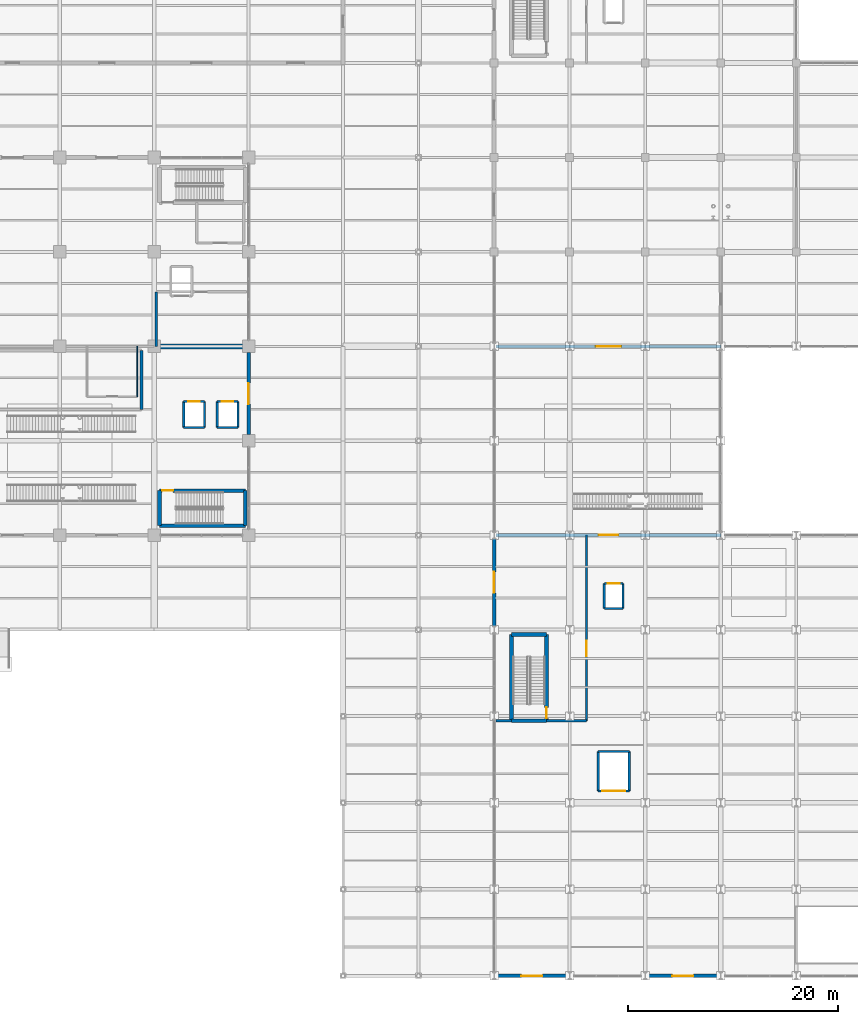
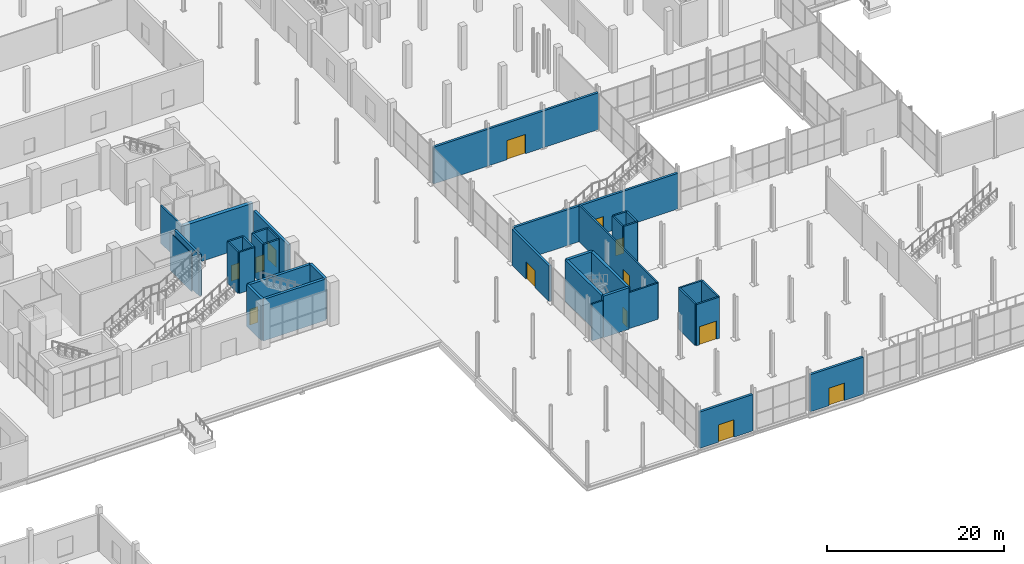
# One storey, part 125 of 144: 37 walls, 13 doors, 13 openings.
"""IFC4 building model written with IfcOpenShell, lengths in metres."""

from ifc_helpers import new_model, si_unit, direction, frame, frame_2d, origin, place, context, subcontext, project, spatial, rectangle, extrude, material, layer, layer_set, type_object, element, fill, save


model = new_model("IFC4")

# Units and contexts
model_context = context("Model", 3, precision=1e-05, world=origin(), true_north=direction((0.0, 1.0)))
body_context = subcontext(model_context, "Body", "Model", "MODEL_VIEW")
ifc_project = project(units=[si_unit("LENGTHUNIT", "METRE"), si_unit("AREAUNIT", "SQUARE_METRE"), si_unit("VOLUMEUNIT", "CUBIC_METRE"), si_unit("PLANEANGLEUNIT", "RADIAN"), si_unit("MASSUNIT", "GRAM", prefix="KILO")], contexts=[model_context])

# Site, building, storey
site_placement = place(None, origin())
site = spatial("IfcSite", under=ifc_project, at=site_placement, CompositionType="ELEMENT")
building_placement = place(site_placement, origin())
building = spatial("IfcBuilding", under=site, at=building_placement, Name="Sundgate Opera House", CompositionType="ELEMENT")
storey_placement = place(building_placement, origin())
storey = spatial("IfcBuildingStorey", under=building, at=storey_placement, Name="L00", CompositionType="ELEMENT", Elevation=0.0)

# Wall
ifc_material_1 = material(Name="Concrete C40/50", Category="concrete")
ifc_layer_1 = layer(ifc_material_1, 0.35009765625)
ifc_layer_set_1 = layer_set([ifc_layer_1], Name="Concrete C40/50")
wall_type_1 = type_object("IfcWallType", Name="WL-CORE-350", PredefinedType="SHEAR", material=ifc_layer_set_1)
wall_1_placement = place(storey_placement, frame((63.510009765625, 42.909912109375, 0.0), z_axis=(0.0, 0.0, 1.0), x_axis=(1.0, 0.0, 0.0)))
element("IfcWall", 1, at=wall_1_placement, inside=storey, type_object=wall_type_1, Name="L00 C3 South Shaft Wall", PredefinedType="SHEAR", context=body_context, shape_type="SweptSolid", body=[
    extrude(rectangle(XDim=8.179931640625, YDim=0.35009765625, at=frame_2d((4.08984375, 0.0))), origin(), (0.0, 0.0, 1.0), 5.699951171875),
])

# Wall, opening, door
wall_2_placement = place(storey_placement, frame((63.510009765625, 46.239990234375, 0.0), z_axis=(0.0, 0.0, 1.0), x_axis=(1.0, 0.0, 0.0)))
wall_2 = element("IfcWall", 2, at=wall_2_placement, inside=storey, type_object=wall_type_1, Name="L00 C3 North Shaft Wall", PredefinedType="SHEAR", context=body_context, shape_type="SweptSolid", body=[
    extrude(rectangle(XDim=8.179931640625, YDim=0.35009765625, at=frame_2d((4.08984375, 0.0))), origin(), (0.0, 0.0, 1.0), 5.699951171875),
])
opening_1_placement = place(wall_2_placement, frame((0.239990234375, 0.0, 0.0)))
opening_1 = element("IfcOpeningElement", 3, at=opening_1_placement, cuts=wall_2, Name="Opening DI01", PredefinedType="OPENING", context=body_context, shape_type="SweptSolid", body=[
    extrude(rectangle(XDim=1.050048828125, YDim=2.179931640625, at=frame_2d((0.52490234375, 1.08984375))), frame((0.0, 0.18505859375, 0.0), z_axis=(0.0, -1.0, 0.0), x_axis=(1.0, 0.0, 0.0)), (0.0, 0.0, 1.0), 0.3701171875),
])
ifc_material_2 = material(Name="Acoustic hardwood timber and steel core", Category="steel")
door_type_1 = type_object("IfcDoorType", Name="DR-STAIR-1050x2180", OperationType="NOTDEFINED", PredefinedType="DOOR", material=ifc_material_2)
door_1_placement = place(opening_1_placement, origin())
door_1 = element("IfcDoor", 4, at=door_1_placement, inside=storey, type_object=door_type_1, Name="L00 C3 Stair Door D0049", OperationType="SINGLE_SWING_LEFT", OverallHeight=2.179931640625, OverallWidth=1.050048828125, PredefinedType="DOOR", context=body_context, shape_type="SweptSolid", body=[
    extrude(rectangle(XDim=1.050048828125, YDim=2.179931640625, at=frame_2d((0.52490234375, 1.08984375))), frame((0.0, 0.02490234375, 0.0), z_axis=(0.0, -1.0, 0.0), x_axis=(1.0, 0.0, 0.0)), (0.0, 0.0, 1.0), 0.050048828125),
])
fill(opening_1, door_1)

# Walls
for number, where, z_axis, x_axis, name in (
    (5, (63.510009765625, 42.909912109375, 0.0), (0.0, 0.0, 1.0), (0.0, 1.0, 0.0), "L00 C3 West Shaft Wall"),
    (6, (71.68994140625, 42.909912109375, 0.0), (0.0, 0.0, 1.0), (0.0, 1.0, 0.0), "L00 C3 East Shaft Wall"),
):
    element("IfcWall", number, at=place(storey_placement, frame(where, z_axis=z_axis, x_axis=x_axis)), inside=storey, type_object=wall_type_1, Name=name, PredefinedType="SHEAR", context=body_context, shape_type="SweptSolid", body=[
        extrude(rectangle(XDim=3.330078125, YDim=0.35009765625, at=frame_2d((1.6650390625, 0.0))), origin(), (0.0, 0.0, 1.0), 5.699951171875),
    ])
for number, where, z_axis, x_axis, name in (
    (7, (97.06005859375, 24.31005859375, 0.0), (0.0, 0.0, 1.0), (1.0, 0.0, 0.0), "L00 C7 South Shaft Wall"),
    (8, (97.06005859375, 32.5400390625, 0.0), (0.0, 0.0, 1.0), (1.0, 0.0, 0.0), "L00 C7 North Shaft Wall"),
):
    element("IfcWall", number, at=place(storey_placement, frame(where, z_axis=z_axis, x_axis=x_axis)), inside=storey, type_object=wall_type_1, Name=name, PredefinedType="SHEAR", context=body_context, shape_type="SweptSolid", body=[
        extrude(rectangle(XDim=3.329833984375, YDim=0.35009765625, at=frame_2d((1.6650390625, 0.0))), origin(), (0.0, 0.0, 1.0), 5.699951171875),
    ])
wall_3_placement = place(storey_placement, frame((97.06005859375, 24.31005859375, 0.0), z_axis=(0.0, 0.0, 1.0), x_axis=(0.0, 1.0, 0.0)))
element("IfcWall", 9, at=wall_3_placement, inside=storey, type_object=wall_type_1, Name="L00 C7 West Shaft Wall", PredefinedType="SHEAR", context=body_context, shape_type="SweptSolid", body=[
    extrude(rectangle(XDim=8.22998046875, YDim=0.35009765625, at=frame_2d((4.114990234375, 0.0))), origin(), (0.0, 0.0, 1.0), 5.699951171875),
])

# Wall, opening, door
wall_4_placement = place(storey_placement, frame((100.389892578125, 24.31005859375, 0.0), z_axis=(0.0, 0.0, 1.0), x_axis=(0.0, 1.0, 0.0)))
wall_4 = element("IfcWall", 10, at=wall_4_placement, inside=storey, type_object=wall_type_1, Name="L00 C7 East Shaft Wall", PredefinedType="SHEAR", context=body_context, shape_type="SweptSolid", body=[
    extrude(rectangle(XDim=8.22998046875, YDim=0.35009765625, at=frame_2d((4.114990234375, 0.0))), origin(), (0.0, 0.0, 1.0), 5.699951171875),
])
opening_2_placement = place(wall_4_placement, frame((0.239990234375, 0.0, 0.0)))
opening_2 = element("IfcOpeningElement", 11, at=opening_2_placement, cuts=wall_4, Name="Opening DI01", PredefinedType="OPENING", context=body_context, shape_type="SweptSolid", body=[
    extrude(rectangle(XDim=1.050048828125, YDim=2.179931640625, at=frame_2d((0.52490234375, 1.08984375))), frame((0.0, 0.18505859375, 0.0), z_axis=(0.0, -1.0, 0.0), x_axis=(1.0, 0.0, 0.0)), (0.0, 0.0, 1.0), 0.3701171875),
])
door_2_placement = place(opening_2_placement, origin())
door_2 = element("IfcDoor", 12, at=door_2_placement, inside=storey, type_object=door_type_1, Name="L00 C7 Stair Door D0084", OperationType="SINGLE_SWING_RIGHT", OverallHeight=2.179931640625, OverallWidth=1.050048828125, PredefinedType="DOOR", context=body_context, shape_type="SweptSolid", body=[
    extrude(rectangle(XDim=1.050048828125, YDim=2.179931640625, at=frame_2d((0.52490234375, 1.08984375))), frame((0.0, 0.02490234375, 0.0), z_axis=(0.0, -1.0, 0.0), x_axis=(1.0, 0.0, 0.0)), (0.0, 0.0, 1.0), 0.050048828125),
])
fill(opening_2, door_2)

ifc_material_3 = material(Name="Komstad limestone ashlar masonry", Category="masonry")
ifc_layer_2 = layer(ifc_material_3, 0.340087890625)
ifc_layer_set_2 = layer_set([ifc_layer_2], Name="Komstad limestone ashlar masonry")
wall_type_2 = type_object("IfcWallType", Name="WL-EXT-COLON-340", PredefinedType="SOLIDWALL", material=ifc_layer_set_2)
wall_5_placement = place(storey_placement, frame((72.0, 51.594970703125, 0.0), z_axis=(0.0, 0.0, 1.0), x_axis=(0.0, 1.0, 0.0)))
wall_5 = element("IfcWall", 13, at=wall_5_placement, inside=storey, type_object=wall_type_2, Name="L00 Foyer East Portal W0041", PredefinedType="SOLIDWALL", context=body_context, shape_type="SweptSolid", body=[
    extrude(rectangle(XDim=7.81005859375, YDim=0.340087890625, at=frame_2d((3.905029296875, 0.0))), origin(), (0.0, 0.0, 1.0), 4.9150390625),
])
opening_3_placement = place(wall_5_placement, frame((2.905029296875, 0.0, 0.0)))
opening_3 = element("IfcOpeningElement", 14, at=opening_3_placement, cuts=wall_5, Name="Opening DE1", PredefinedType="OPENING", context=body_context, shape_type="SweptSolid", body=[
    extrude(rectangle(XDim=2.0, YDim=2.39990234375, at=frame_2d((1.0, 1.199951171875))), frame((0.0, 0.179931640625, 0.0), z_axis=(0.0, -1.0, 0.0), x_axis=(1.0, 0.0, 0.0)), (0.0, 0.0, 1.0), 0.360107421875),
])
ifc_material_4 = material(Name="Patinated bronze and laminated safety glass", Category="glass")
door_type_2 = type_object("IfcDoorType", Name="DR-EXIT-2000x2400", OperationType="NOTDEFINED", PredefinedType="DOOR", material=ifc_material_4)
door_3_placement = place(opening_3_placement, origin())
door_3 = element("IfcDoor", 15, at=door_3_placement, inside=storey, type_object=door_type_2, Name="L00 Final Exit Door E6", OperationType="DOUBLE_DOOR_SINGLE_SWING", OverallHeight=2.39990234375, OverallWidth=2.0, PredefinedType="DOOR", context=body_context, shape_type="SweptSolid", body=[
    extrude(rectangle(XDim=2.0, YDim=2.39990234375, at=frame_2d((1.0, 1.199951171875))), frame((0.0, 0.02490234375, 0.0), z_axis=(0.0, -1.0, 0.0), x_axis=(1.0, 0.0, 0.0)), (0.0, 0.0, 1.0), 0.050048828125),
])
fill(opening_3, door_3)

ifc_material_5 = material(Name="Precast concrete C40/50", Category="concrete")
ifc_layer_3 = layer(ifc_material_5, 0.31005859375)
ifc_layer_set_3 = layer_set([ifc_layer_3], Name="Precast concrete C40/50")
wall_type_3 = type_object("IfcWallType", Name="WL-EXT-DOCK-310", PredefinedType="SOLIDWALL", material=ifc_layer_set_3)
wall_6_placement = place(storey_placement, frame((95.39990234375, 41.679931640625, 0.0), z_axis=(0.0, 0.0, 1.0), x_axis=(0.0, -1.0, 0.0)))
wall_6 = element("IfcWall", 16, at=wall_6_placement, inside=storey, type_object=wall_type_3, Name="L00 Studio Passage Portal W0042", PredefinedType="SOLIDWALL", context=body_context, shape_type="SweptSolid", body=[
    extrude(rectangle(XDim=8.35986328125, YDim=0.31005859375, at=frame_2d((4.179931640625, 0.0))), origin(), (0.0, 0.0, 1.0), 4.9150390625),
])
opening_4_placement = place(wall_6_placement, frame((3.179931640625, 0.0, 0.0)))
opening_4 = element("IfcOpeningElement", 17, at=opening_4_placement, cuts=wall_6, Name="Opening DE1", PredefinedType="OPENING", context=body_context, shape_type="SweptSolid", body=[
    extrude(rectangle(XDim=2.0, YDim=2.39990234375, at=frame_2d((1.0, 1.199951171875))), frame((0.0, 0.1650390625, 0.0), z_axis=(0.0, -1.0, 0.0), x_axis=(1.0, 0.0, 0.0)), (0.0, 0.0, 1.0), 0.330078125),
])
door_4_placement = place(opening_4_placement, origin())
door_4 = element("IfcDoor", 18, at=door_4_placement, inside=storey, type_object=door_type_2, Name="L00 Final Exit Door E7", OperationType="DOUBLE_DOOR_SINGLE_SWING", OverallHeight=2.39990234375, OverallWidth=2.0, PredefinedType="DOOR", context=body_context, shape_type="SweptSolid", body=[
    extrude(rectangle(XDim=2.0, YDim=2.39990234375, at=frame_2d((1.0, 1.199951171875))), frame((0.0, 0.02490234375, 0.0), z_axis=(0.0, -1.0, 0.0), x_axis=(1.0, 0.0, 0.0)), (0.0, 0.0, 1.0), 0.050048828125),
])
fill(opening_4, door_4)

wall_7_placement = place(storey_placement, frame((102.455078125, 0.0, 0.0), z_axis=(0.0, 0.0, 1.0), x_axis=(-1.0, 0.0, 0.0)))
wall_7 = element("IfcWall", 19, at=wall_7_placement, inside=storey, type_object=wall_type_3, Name="L00 Workshop South Exit Portal W0043", PredefinedType="SOLIDWALL", context=body_context, shape_type="SweptSolid", body=[
    extrude(rectangle(XDim=6.91015625, YDim=0.31005859375, at=frame_2d((3.455078125, 0.0))), origin(), (0.0, 0.0, 1.0), 5.014892578125),
])
opening_5_placement = place(wall_7_placement, frame((2.455078125, 0.0, 0.0)))
opening_5 = element("IfcOpeningElement", 20, at=opening_5_placement, cuts=wall_7, Name="Opening DE1", PredefinedType="OPENING", context=body_context, shape_type="SweptSolid", body=[
    extrude(rectangle(XDim=2.0, YDim=2.39990234375, at=frame_2d((1.0, 1.199951171875))), frame((0.0, 0.1650390625, 0.0), z_axis=(0.0, -1.0, 0.0), x_axis=(1.0, 0.0, 0.0)), (0.0, 0.0, 1.0), 0.330078125),
])
door_5_placement = place(opening_5_placement, origin())
door_5 = element("IfcDoor", 21, at=door_5_placement, inside=storey, type_object=door_type_2, Name="L00 Final Exit Door E8", OperationType="DOUBLE_DOOR_SINGLE_SWING", OverallHeight=2.39990234375, OverallWidth=2.0, PredefinedType="DOOR", context=body_context, shape_type="SweptSolid", body=[
    extrude(rectangle(XDim=2.0, YDim=2.39990234375, at=frame_2d((1.0, 1.199951171875))), frame((0.0, 0.02490234375, 0.0), z_axis=(0.0, -1.0, 0.0), x_axis=(1.0, 0.0, 0.0)), (0.0, 0.0, 1.0), 0.050048828125),
])
fill(opening_5, door_5)

wall_8_placement = place(storey_placement, frame((116.85498046875, 0.0, 0.0), z_axis=(0.0, 0.0, 1.0), x_axis=(-1.0, 0.0, 0.0)))
wall_8 = element("IfcWall", 22, at=wall_8_placement, inside=storey, type_object=wall_type_3, Name="L00 Workshop South Exit Portal W0044", PredefinedType="SOLIDWALL", context=body_context, shape_type="SweptSolid", body=[
    extrude(rectangle(XDim=6.909912109375, YDim=0.31005859375, at=frame_2d((3.455078125, 0.0))), origin(), (0.0, 0.0, 1.0), 5.114990234375),
])
opening_6_placement = place(wall_8_placement, frame((2.455078125, 0.0, 0.0)))
opening_6 = element("IfcOpeningElement", 23, at=opening_6_placement, cuts=wall_8, Name="Opening DE1", PredefinedType="OPENING", context=body_context, shape_type="SweptSolid", body=[
    extrude(rectangle(XDim=2.0, YDim=2.39990234375, at=frame_2d((1.0, 1.199951171875))), frame((0.0, 0.1650390625, 0.0), z_axis=(0.0, -1.0, 0.0), x_axis=(1.0, 0.0, 0.0)), (0.0, 0.0, 1.0), 0.330078125),
])
door_6_placement = place(opening_6_placement, origin())
door_6 = element("IfcDoor", 24, at=door_6_placement, inside=storey, type_object=door_type_2, Name="L00 Final Exit Door E9", OperationType="DOUBLE_DOOR_SINGLE_SWING", OverallHeight=2.39990234375, OverallWidth=2.0, PredefinedType="DOOR", context=body_context, shape_type="SweptSolid", body=[
    extrude(rectangle(XDim=2.0, YDim=2.39990234375, at=frame_2d((1.0, 1.199951171875))), frame((0.0, 0.02490234375, 0.0), z_axis=(0.0, -1.0, 0.0), x_axis=(1.0, 0.0, 0.0)), (0.0, 0.0, 1.0), 0.050048828125),
])
fill(opening_6, door_6)

ifc_material_6 = material(Name="Double-leaf acoustic concrete blockwork C35/45", Category="masonry")
ifc_layer_4 = layer(ifc_material_6, 0.300048828125)
ifc_layer_set_4 = layer_set([ifc_layer_4], Name="Double-leaf acoustic concrete blockwork C35/45")
wall_type_4 = type_object("IfcWallType", Name="WL-INT-ACOUST-300", PredefinedType="PARTITIONING", material=ifc_layer_set_4)
wall_9_placement = place(storey_placement, frame((95.60009765625, 42.0, 0.0), z_axis=(0.0, 0.0, 1.0), x_axis=(1.0, 0.0, 0.0)))
wall_9 = element("IfcWall", 25, at=wall_9_placement, inside=storey, type_object=wall_type_4, Name="L00 Interior Partition W1006", PredefinedType="PARTITIONING", context=body_context, shape_type="SweptSolid", body=[
    extrude(rectangle(XDim=21.39990234375, YDim=0.300048828125, at=frame_2d((10.699951171875, 0.0))), origin(), (0.0, 0.0, 1.0), 4.9150390625),
])
opening_7_placement = place(wall_9_placement, frame((9.75, 0.0, 0.0)))
opening_7 = element("IfcOpeningElement", 26, at=opening_7_placement, cuts=wall_9, Name="Opening DI03", PredefinedType="OPENING", context=body_context, shape_type="SweptSolid", body=[
    extrude(rectangle(XDim=1.89990234375, YDim=2.35009765625, at=frame_2d((0.949951171875, 1.175048828125))), frame((0.0, 0.159912109375, 0.0), z_axis=(0.0, -1.0, 0.0), x_axis=(1.0, 0.0, 0.0)), (0.0, 0.0, 1.0), 0.320068359375),
])
ifc_material_7 = material(Name="Acoustic hardwood timber and steel core", Category="steel")
door_type_3 = type_object("IfcDoorType", Name="DR-AUD-1900x2350", OperationType="DOUBLE_DOOR_SINGLE_SWING", PredefinedType="DOOR", material=ifc_material_7)
door_7_placement = place(opening_7_placement, origin())
door_7 = element("IfcDoor", 27, at=door_7_placement, inside=storey, type_object=door_type_3, Name="L00 Interior Door D0181", OperationType="DOUBLE_DOOR_SINGLE_SWING", OverallHeight=2.35009765625, OverallWidth=1.89990234375, PredefinedType="DOOR", context=body_context, shape_type="SweptSolid", body=[
    extrude(rectangle(XDim=1.89990234375, YDim=2.35009765625, at=frame_2d((0.949951171875, 1.175048828125))), frame((0.0, 0.02490234375, 0.0), z_axis=(0.0, -1.0, 0.0), x_axis=(1.0, 0.0, 0.0)), (0.0, 0.0, 1.0), 0.050048828125),
])
fill(opening_7, door_7)

wall_10_placement = place(storey_placement, frame((95.60009765625, 60.0, 0.0), z_axis=(0.0, 0.0, 1.0), x_axis=(1.0, 0.0, 0.0)))
wall_10 = element("IfcWall", 28, at=wall_10_placement, inside=storey, type_object=wall_type_4, Name="L00 Interior Partition W1007", PredefinedType="PARTITIONING", context=body_context, shape_type="SweptSolid", body=[
    extrude(rectangle(XDim=21.39990234375, YDim=0.300048828125, at=frame_2d((10.699951171875, 0.0))), origin(), (0.0, 0.0, 1.0), 5.06494140625),
])
opening_8_placement = place(wall_10_placement, frame((9.5, 0.0, 0.0)))
opening_8 = element("IfcOpeningElement", 29, at=opening_8_placement, cuts=wall_10, Name="Opening DI05", PredefinedType="OPENING", context=body_context, shape_type="SweptSolid", body=[
    extrude(rectangle(XDim=2.39990234375, YDim=2.64990234375, at=frame_2d((1.199951171875, 1.324951171875))), frame((0.0, 0.159912109375, 0.0), z_axis=(0.0, -1.0, 0.0), x_axis=(1.0, 0.0, 0.0)), (0.0, 0.0, 1.0), 0.320068359375),
])
ifc_material_8 = material(Name="Acoustic hardwood timber and steel core", Category="steel")
door_type_4 = type_object("IfcDoorType", Name="DR-STAGE-2400x2650", OperationType="DOUBLE_DOOR_SINGLE_SWING", PredefinedType="DOOR", material=ifc_material_8)
door_8_placement = place(opening_8_placement, origin())
door_8 = element("IfcDoor", 30, at=door_8_placement, inside=storey, type_object=door_type_4, Name="L00 Interior Door D0182", OperationType="DOUBLE_DOOR_SINGLE_SWING", OverallHeight=2.64990234375, OverallWidth=2.39990234375, PredefinedType="DOOR", context=body_context, shape_type="SweptSolid", body=[
    extrude(rectangle(XDim=2.39990234375, YDim=2.64990234375, at=frame_2d((1.199951171875, 1.324951171875))), frame((0.0, 0.02490234375, 0.0), z_axis=(0.0, -1.0, 0.0), x_axis=(1.0, 0.0, 0.0)), (0.0, 0.0, 1.0), 0.050048828125),
])
fill(opening_8, door_8)

# Wall
ifc_material_9 = material(Name="Fire-rated corridor partition", Category="gypsum")
ifc_layer_5 = layer(ifc_material_9, 0.199951171875)
ifc_layer_set_5 = layer_set([ifc_layer_5], Name="Fire-rated corridor partition")
wall_type_5 = type_object("IfcWallType", Name="WL-INT-FIRE-200", PredefinedType="PARTITIONING", material=ifc_layer_set_5)
wall_11_placement = place(storey_placement, frame((63.199951171875, 60.0, 0.0), z_axis=(0.0, 0.0, 1.0), x_axis=(0.0, 1.0, 0.0)))
element("IfcWall", 31, at=wall_11_placement, inside=storey, type_object=wall_type_5, Name="L00 Interior Partition W0997", PredefinedType="PARTITIONING", context=body_context, shape_type="SweptSolid", body=[
    extrude(rectangle(XDim=5.199951171875, YDim=0.199951171875, at=frame_2d((2.60009765625, 0.0))), origin(), (0.0, 0.0, 1.0), 5.22509765625),
])

# Wall, opening, door
wall_12_placement = place(storey_placement, frame((104.199951171875, 24.31005859375, 0.0), z_axis=(0.0, 0.0, 1.0), x_axis=(0.0, 1.0, 0.0)))
wall_12 = element("IfcWall", 32, at=wall_12_placement, inside=storey, type_object=wall_type_5, Name="L00 Interior Partition W0998", PredefinedType="PARTITIONING", context=body_context, shape_type="SweptSolid", body=[
    extrude(rectangle(XDim=17.68994140625, YDim=0.199951171875, at=frame_2d((8.844970703125, 0.0))), origin(), (0.0, 0.0, 1.0), 5.014892578125),
])
opening_9_placement = place(wall_12_placement, frame((6.152099609375, 0.0, 0.0)))
opening_9 = element("IfcOpeningElement", 33, at=opening_9_placement, cuts=wall_12, Name="Opening DI07", PredefinedType="OPENING", context=body_context, shape_type="SweptSolid", body=[
    extrude(rectangle(XDim=1.5, YDim=2.199951171875, at=frame_2d((0.75, 1.10009765625))), frame((0.0, 0.10986328125, 0.0), z_axis=(0.0, -1.0, 0.0), x_axis=(1.0, 0.0, 0.0)), (0.0, 0.0, 1.0), 0.219970703125),
])
ifc_material_10 = material(Name="Acoustic hardwood timber and steel core", Category="steel")
door_type_5 = type_object("IfcDoorType", Name="DR-CORR-1500x2200", OperationType="DOUBLE_DOOR_SINGLE_SWING", PredefinedType="DOOR", material=ifc_material_10)
door_9_placement = place(opening_9_placement, origin())
door_9 = element("IfcDoor", 34, at=door_9_placement, inside=storey, type_object=door_type_5, Name="L00 Interior Door D0176", OperationType="DOUBLE_DOOR_SINGLE_SWING", OverallHeight=2.199951171875, OverallWidth=1.5, PredefinedType="DOOR", context=body_context, shape_type="SweptSolid", body=[
    extrude(rectangle(XDim=1.5, YDim=2.199951171875, at=frame_2d((0.75, 1.10009765625))), frame((0.0, 0.02490234375, 0.0), z_axis=(0.0, -1.0, 0.0), x_axis=(1.0, 0.0, 0.0)), (0.0, 0.0, 1.0), 0.050048828125),
])
fill(opening_9, door_9)

# Walls
wall_13_placement = place(storey_placement, frame((95.60009765625, 24.31005859375, 0.0), z_axis=(0.0, 0.0, 1.0), x_axis=(1.0, 0.0, 0.0)))
element("IfcWall", 35, at=wall_13_placement, inside=storey, type_object=wall_type_5, Name="L00 Interior Partition W0999", PredefinedType="PARTITIONING", context=body_context, shape_type="SweptSolid", body=[
    extrude(rectangle(XDim=1.449951171875, YDim=0.199951171875, at=frame_2d((0.72509765625, 0.0))), origin(), (0.0, 0.0, 1.0), 5.06494140625),
])
wall_14_placement = place(storey_placement, frame((100.39990234375, 24.31005859375, 0.0), z_axis=(0.0, 0.0, 1.0), x_axis=(1.0, 0.0, 0.0)))
element("IfcWall", 36, at=wall_14_placement, inside=storey, type_object=wall_type_5, Name="L00 Interior Partition W1000", PredefinedType="PARTITIONING", context=body_context, shape_type="SweptSolid", body=[
    extrude(rectangle(XDim=3.800048828125, YDim=0.199951171875, at=frame_2d((1.89990234375, 0.0))), origin(), (0.0, 0.0, 1.0), 4.965087890625),
])
ifc_material_11 = material(Name="Fire-rated gypsum and mineral-wool shaft partition", Category="gypsum")
ifc_layer_6 = layer(ifc_material_11, 0.219970703125)
ifc_layer_set_6 = layer_set([ifc_layer_6], Name="Fire-rated gypsum and mineral-wool shaft partition")
wall_type_6 = type_object("IfcWallType", Name="WL-INT-FIRE-220", PredefinedType="PARTITIONING", material=ifc_layer_set_6)
wall_15_placement = place(storey_placement, frame((65.81005859375, 52.260009765625, 0.0), z_axis=(0.0, 0.0, 1.0), x_axis=(1.0, 0.0, 0.0)))
element("IfcWall", 37, at=wall_15_placement, inside=storey, type_object=wall_type_6, Name="L00 LF-01 South Shaft Wall", PredefinedType="PARTITIONING", context=body_context, shape_type="SweptSolid", body=[
    extrude(rectangle(XDim=1.97998046875, YDim=0.219970703125, at=frame_2d((0.989990234375, 0.0))), origin(), (0.0, 0.0, 1.0), 5.6650390625),
])

# Wall, opening, door
wall_16_placement = place(storey_placement, frame((65.81005859375, 54.739990234375, 0.0), z_axis=(0.0, 0.0, 1.0), x_axis=(1.0, 0.0, 0.0)))
wall_16 = element("IfcWall", 38, at=wall_16_placement, inside=storey, type_object=wall_type_6, Name="L00 LF-01 North Shaft Wall", PredefinedType="PARTITIONING", context=body_context, shape_type="SweptSolid", body=[
    extrude(rectangle(XDim=1.97998046875, YDim=0.219970703125, at=frame_2d((0.989990234375, 0.0))), origin(), (0.0, 0.0, 1.0), 5.6650390625),
])
opening_10_placement = place(wall_16_placement, frame((0.43994140625, 0.0, 0.0)))
opening_10 = element("IfcOpeningElement", 39, at=opening_10_placement, cuts=wall_16, Name="Opening LD1", PredefinedType="OPENING", context=body_context, shape_type="SweptSolid", body=[
    extrude(rectangle(XDim=1.10009765625, YDim=2.179931640625, at=frame_2d((0.550048828125, 1.08984375))), frame((0.0, 0.119873046875, 0.0), z_axis=(0.0, -1.0, 0.0), x_axis=(1.0, 0.0, 0.0)), (0.0, 0.0, 1.0), 0.239990234375),
])
ifc_material_12 = material(Name="Brushed stainless steel EN 1.4301", Category="steel")
door_type_6 = type_object("IfcDoorType", Name="DR-LIFT-1100x2180", OperationType="DOUBLE_DOOR_SLIDING", PredefinedType="DOOR", material=ifc_material_12)
door_10_placement = place(opening_10_placement, origin())
door_10 = element("IfcDoor", 40, at=door_10_placement, inside=storey, type_object=door_type_6, Name="L00 LF-01 Landing Door D0093", OperationType="DOUBLE_DOOR_SLIDING", OverallHeight=2.179931640625, OverallWidth=1.10009765625, PredefinedType="DOOR", context=body_context, shape_type="SweptSolid", body=[
    extrude(rectangle(XDim=1.10009765625, YDim=2.179931640625, at=frame_2d((0.550048828125, 1.08984375))), frame((0.0, 0.02490234375, 0.0), z_axis=(0.0, -1.0, 0.0), x_axis=(1.0, 0.0, 0.0)), (0.0, 0.0, 1.0), 0.050048828125),
])
fill(opening_10, door_10)

# Walls
for number, where, z_axis, x_axis, name in (
    (41, (65.81005859375, 52.260009765625, 0.0), (0.0, 0.0, 1.0), (0.0, 1.0, 0.0), "L00 LF-01 West Shaft Wall"),
    (42, (67.7900390625, 52.260009765625, 0.0), (0.0, 0.0, 1.0), (0.0, 1.0, 0.0), "L00 LF-01 East Shaft Wall"),
):
    element("IfcWall", number, at=place(storey_placement, frame(where, z_axis=z_axis, x_axis=x_axis)), inside=storey, type_object=wall_type_6, Name=name, PredefinedType="PARTITIONING", context=body_context, shape_type="SweptSolid", body=[
        extrude(rectangle(XDim=2.47998046875, YDim=0.219970703125, at=frame_2d((1.239990234375, 0.0))), origin(), (0.0, 0.0, 1.0), 5.6650390625),
    ])
wall_17_placement = place(storey_placement, frame((69.010009765625, 52.260009765625, 0.0), z_axis=(0.0, 0.0, 1.0), x_axis=(1.0, 0.0, 0.0)))
element("IfcWall", 43, at=wall_17_placement, inside=storey, type_object=wall_type_6, Name="L00 LF-02 South Shaft Wall", PredefinedType="PARTITIONING", context=body_context, shape_type="SweptSolid", body=[
    extrude(rectangle(XDim=1.97998046875, YDim=0.219970703125, at=frame_2d((0.989990234375, 0.0))), origin(), (0.0, 0.0, 1.0), 5.6650390625),
])

# Wall, opening, door
wall_18_placement = place(storey_placement, frame((69.010009765625, 54.739990234375, 0.0), z_axis=(0.0, 0.0, 1.0), x_axis=(1.0, 0.0, 0.0)))
wall_18 = element("IfcWall", 44, at=wall_18_placement, inside=storey, type_object=wall_type_6, Name="L00 LF-02 North Shaft Wall", PredefinedType="PARTITIONING", context=body_context, shape_type="SweptSolid", body=[
    extrude(rectangle(XDim=1.97998046875, YDim=0.219970703125, at=frame_2d((0.989990234375, 0.0))), origin(), (0.0, 0.0, 1.0), 5.6650390625),
])
opening_11_placement = place(wall_18_placement, frame((0.43994140625, 0.0, 0.0)))
opening_11 = element("IfcOpeningElement", 45, at=opening_11_placement, cuts=wall_18, Name="Opening LD1", PredefinedType="OPENING", context=body_context, shape_type="SweptSolid", body=[
    extrude(rectangle(XDim=1.10009765625, YDim=2.179931640625, at=frame_2d((0.550048828125, 1.08984375))), frame((0.0, 0.119873046875, 0.0), z_axis=(0.0, -1.0, 0.0), x_axis=(1.0, 0.0, 0.0)), (0.0, 0.0, 1.0), 0.239990234375),
])
door_11_placement = place(opening_11_placement, origin())
door_11 = element("IfcDoor", 46, at=door_11_placement, inside=storey, type_object=door_type_6, Name="L00 LF-02 Landing Door D0100", OperationType="DOUBLE_DOOR_SLIDING", OverallHeight=2.179931640625, OverallWidth=1.10009765625, PredefinedType="DOOR", context=body_context, shape_type="SweptSolid", body=[
    extrude(rectangle(XDim=1.10009765625, YDim=2.179931640625, at=frame_2d((0.550048828125, 1.08984375))), frame((0.0, 0.02490234375, 0.0), z_axis=(0.0, -1.0, 0.0), x_axis=(1.0, 0.0, 0.0)), (0.0, 0.0, 1.0), 0.050048828125),
])
fill(opening_11, door_11)

# Walls
for number, where, z_axis, x_axis, name in (
    (47, (69.010009765625, 52.260009765625, 0.0), (0.0, 0.0, 1.0), (0.0, 1.0, 0.0), "L00 LF-02 West Shaft Wall"),
    (48, (70.989990234375, 52.260009765625, 0.0), (0.0, 0.0, 1.0), (0.0, 1.0, 0.0), "L00 LF-02 East Shaft Wall"),
):
    element("IfcWall", number, at=place(storey_placement, frame(where, z_axis=z_axis, x_axis=x_axis)), inside=storey, type_object=wall_type_6, Name=name, PredefinedType="PARTITIONING", context=body_context, shape_type="SweptSolid", body=[
        extrude(rectangle(XDim=2.47998046875, YDim=0.219970703125, at=frame_2d((1.239990234375, 0.0))), origin(), (0.0, 0.0, 1.0), 5.6650390625),
    ])
wall_19_placement = place(storey_placement, frame((105.909912109375, 35.010009765625, 0.0), z_axis=(0.0, 0.0, 1.0), x_axis=(1.0, 0.0, 0.0)))
element("IfcWall", 49, at=wall_19_placement, inside=storey, type_object=wall_type_6, Name="L00 LF-05 South Shaft Wall", PredefinedType="PARTITIONING", context=body_context, shape_type="SweptSolid", body=[
    extrude(rectangle(XDim=1.780029296875, YDim=0.219970703125, at=frame_2d((0.89013671875, 0.0))), origin(), (0.0, 0.0, 1.0), 5.6650390625),
])

# Wall, opening, door
wall_20_placement = place(storey_placement, frame((105.909912109375, 37.389892578125, 0.0), z_axis=(0.0, 0.0, 1.0), x_axis=(1.0, 0.0, 0.0)))
wall_20 = element("IfcWall", 50, at=wall_20_placement, inside=storey, type_object=wall_type_6, Name="L00 LF-05 North Shaft Wall", PredefinedType="PARTITIONING", context=body_context, shape_type="SweptSolid", body=[
    extrude(rectangle(XDim=1.780029296875, YDim=0.219970703125, at=frame_2d((0.89013671875, 0.0))), origin(), (0.0, 0.0, 1.0), 5.6650390625),
])
opening_12_placement = place(wall_20_placement, frame((0.340087890625, 0.0, 0.0)))
opening_12 = element("IfcOpeningElement", 51, at=opening_12_placement, cuts=wall_20, Name="Opening LD1", PredefinedType="OPENING", context=body_context, shape_type="SweptSolid", body=[
    extrude(rectangle(XDim=1.10009765625, YDim=2.179931640625, at=frame_2d((0.550048828125, 1.08984375))), frame((0.0, 0.119873046875, 0.0), z_axis=(0.0, -1.0, 0.0), x_axis=(1.0, 0.0, 0.0)), (0.0, 0.0, 1.0), 0.239990234375),
])
door_12_placement = place(opening_12_placement, origin())
door_12 = element("IfcDoor", 52, at=door_12_placement, inside=storey, type_object=door_type_6, Name="L00 LF-05 Landing Door D0120", OperationType="DOUBLE_DOOR_SLIDING", OverallHeight=2.179931640625, OverallWidth=1.10009765625, PredefinedType="DOOR", context=body_context, shape_type="SweptSolid", body=[
    extrude(rectangle(XDim=1.10009765625, YDim=2.179931640625, at=frame_2d((0.550048828125, 1.08984375))), frame((0.0, 0.02490234375, 0.0), z_axis=(0.0, -1.0, 0.0), x_axis=(1.0, 0.0, 0.0)), (0.0, 0.0, 1.0), 0.050048828125),
])
fill(opening_12, door_12)

# Walls
for number, where, z_axis, x_axis, name in (
    (53, (105.909912109375, 35.010009765625, 0.0), (0.0, 0.0, 1.0), (0.0, 1.0, 0.0), "L00 LF-05 West Shaft Wall"),
    (54, (107.68994140625, 35.010009765625, 0.0), (0.0, 0.0, 1.0), (0.0, 1.0, 0.0), "L00 LF-05 East Shaft Wall"),
):
    element("IfcWall", number, at=place(storey_placement, frame(where, z_axis=z_axis, x_axis=x_axis)), inside=storey, type_object=wall_type_6, Name=name, PredefinedType="PARTITIONING", context=body_context, shape_type="SweptSolid", body=[
        extrude(rectangle(XDim=2.3798828125, YDim=0.219970703125, at=frame_2d((1.18994140625, 0.0))), origin(), (0.0, 0.0, 1.0), 5.6650390625),
    ])

# Wall, opening, door
wall_21_placement = place(storey_placement, frame((105.31005859375, 17.610107421875, 0.0), z_axis=(0.0, 0.0, 1.0), x_axis=(1.0, 0.0, 0.0)))
wall_21 = element("IfcWall", 55, at=wall_21_placement, inside=storey, type_object=wall_type_6, Name="L00 GL-02 South Shaft Wall", PredefinedType="PARTITIONING", context=body_context, shape_type="SweptSolid", body=[
    extrude(rectangle(XDim=2.97998046875, YDim=0.219970703125, at=frame_2d((1.489990234375, 0.0))), origin(), (0.0, 0.0, 1.0), 5.6650390625),
])
opening_13_placement = place(wall_21_placement, frame((0.389892578125, 0.0, 0.0)))
opening_13 = element("IfcOpeningElement", 56, at=opening_13_placement, cuts=wall_21, Name="Opening LD3", PredefinedType="OPENING", context=body_context, shape_type="SweptSolid", body=[
    extrude(rectangle(XDim=2.199951171875, YDim=2.5, at=frame_2d((1.10009765625, 1.25))), frame((0.0, 0.119873046875, 0.0), z_axis=(0.0, -1.0, 0.0), x_axis=(1.0, 0.0, 0.0)), (0.0, 0.0, 1.0), 0.239990234375),
])
ifc_material_13 = material(Name="Brushed stainless steel EN 1.4301", Category="steel")
door_type_7 = type_object("IfcDoorType", Name="DR-LIFT-2200x2500", OperationType="DOUBLE_DOOR_SLIDING", PredefinedType="DOOR", material=ifc_material_13)
door_13_placement = place(opening_13_placement, origin())
door_13 = element("IfcDoor", 57, at=door_13_placement, inside=storey, type_object=door_type_7, Name="L00 GL-02 Landing Door D0150", OperationType="DOUBLE_DOOR_SLIDING", OverallHeight=2.5, OverallWidth=2.199951171875, PredefinedType="DOOR", context=body_context, shape_type="SweptSolid", body=[
    extrude(rectangle(XDim=2.199951171875, YDim=2.5, at=frame_2d((1.10009765625, 1.25))), frame((0.0, 0.02490234375, 0.0), z_axis=(0.0, -1.0, 0.0), x_axis=(1.0, 0.0, 0.0)), (0.0, 0.0, 1.0), 0.050048828125),
])
fill(opening_13, door_13)

# Walls
wall_22_placement = place(storey_placement, frame((105.31005859375, 21.389892578125, 0.0), z_axis=(0.0, 0.0, 1.0), x_axis=(1.0, 0.0, 0.0)))
element("IfcWall", 58, at=wall_22_placement, inside=storey, type_object=wall_type_6, Name="L00 GL-02 North Shaft Wall", PredefinedType="PARTITIONING", context=body_context, shape_type="SweptSolid", body=[
    extrude(rectangle(XDim=2.97998046875, YDim=0.219970703125, at=frame_2d((1.489990234375, 0.0))), origin(), (0.0, 0.0, 1.0), 5.6650390625),
])
for number, where, z_axis, x_axis, name in (
    (59, (105.31005859375, 17.610107421875, 0.0), (0.0, 0.0, 1.0), (0.0, 1.0, 0.0), "L00 GL-02 West Shaft Wall"),
    (60, (108.2900390625, 17.610107421875, 0.0), (0.0, 0.0, 1.0), (0.0, 1.0, 0.0), "L00 GL-02 East Shaft Wall"),
):
    element("IfcWall", number, at=place(storey_placement, frame(where, z_axis=z_axis, x_axis=x_axis)), inside=storey, type_object=wall_type_6, Name=name, PredefinedType="PARTITIONING", context=body_context, shape_type="SweptSolid", body=[
        extrude(rectangle(XDim=3.77978515625, YDim=0.219970703125, at=frame_2d((1.889892578125, 0.0))), origin(), (0.0, 0.0, 1.0), 5.6650390625),
    ])
ifc_material_14 = material(Name="Moisture-resistant sanitary partition", Category="gypsum")
ifc_layer_7 = layer(ifc_material_14, 0.114990234375)
ifc_layer_set_7 = layer_set([ifc_layer_7], Name="Moisture-resistant sanitary partition")
wall_type_7 = type_object("IfcWallType", Name="WL-INT-WET-115", PredefinedType="PARTITIONING", material=ifc_layer_set_7)
wall_23_placement = place(storey_placement, frame((61.39990234375, 55.199951171875, 0.0), z_axis=(0.0, 0.0, 1.0), x_axis=(0.0, 1.0, 0.0)))
element("IfcWall", 61, at=wall_23_placement, inside=storey, type_object=wall_type_7, Name="L00 Interior Partition W0993", PredefinedType="PARTITIONING", context=body_context, shape_type="SweptSolid", body=[
    extrude(rectangle(XDim=4.800048828125, YDim=0.114990234375, at=frame_2d((2.39990234375, 0.0))), origin(), (0.0, 0.0, 1.0), 5.22509765625),
])
ifc_material_15 = material(Name="Concrete C40/50", Category="concrete")
ifc_layer_8 = layer(ifc_material_15, 0.47998046875)
ifc_layer_set_8 = layer_set([ifc_layer_8], Name="Concrete C40/50")
wall_type_8 = type_object("IfcWallType", Name="WL-PROS-480", PredefinedType="SHEAR", material=ifc_layer_set_8)
wall_24_placement = place(storey_placement, frame((63.0, 60.0, 0.0), z_axis=(0.0, 0.0, 1.0), x_axis=(1.0, 0.0, 0.0)))
element("IfcWall", 62, at=wall_24_placement, inside=storey, type_object=wall_type_8, Name="L00 Proscenium Shear Wall W0011", PredefinedType="SHEAR", context=body_context, shape_type="SweptSolid", body=[
    extrude(rectangle(XDim=9.0, YDim=0.47998046875, at=frame_2d((4.5, 0.0))), origin(), (0.0, 0.0, 1.0), 5.699951171875),
])
ifc_material_16 = material(Name="Concrete C35/45", Category="concrete")
ifc_layer_9 = layer(ifc_material_16, 0.2900390625)
ifc_layer_set_9 = layer_set([ifc_layer_9], Name="Concrete C35/45")
wall_type_9 = type_object("IfcWallType", Name="WL-SHFT-290", PredefinedType="SHEAR", material=ifc_layer_set_9)
wall_25_placement = place(storey_placement, frame((61.800048828125, 54.0, 0.0), z_axis=(0.0, 0.0, 1.0), x_axis=(0.0, 1.0, 0.0)))
element("IfcWall", 63, at=wall_25_placement, inside=storey, type_object=wall_type_9, Name="L00 Orchestra Pit Support Wall W0031", PredefinedType="SHEAR", context=body_context, shape_type="SweptSolid", body=[
    extrude(rectangle(XDim=5.60009765625, YDim=0.2900390625, at=frame_2d((2.800048828125, 0.0))), origin(), (0.0, 0.0, 1.0), 5.699951171875),
])

save(model, "model.ifc")
